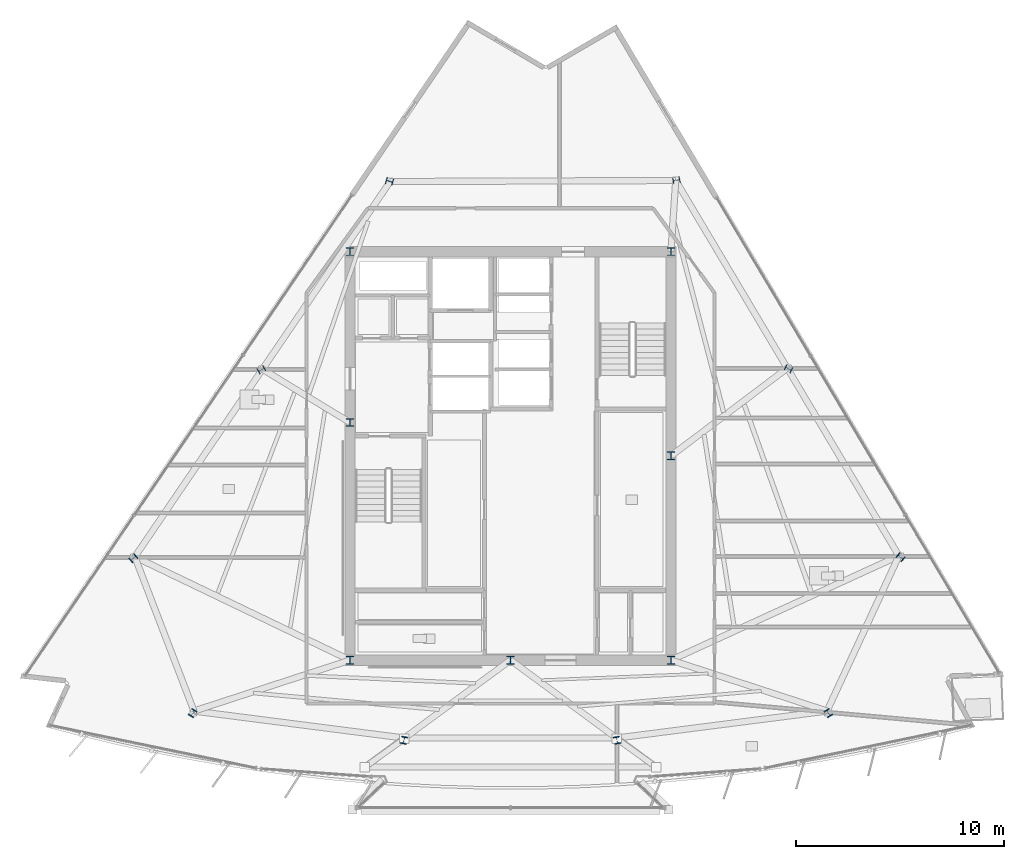
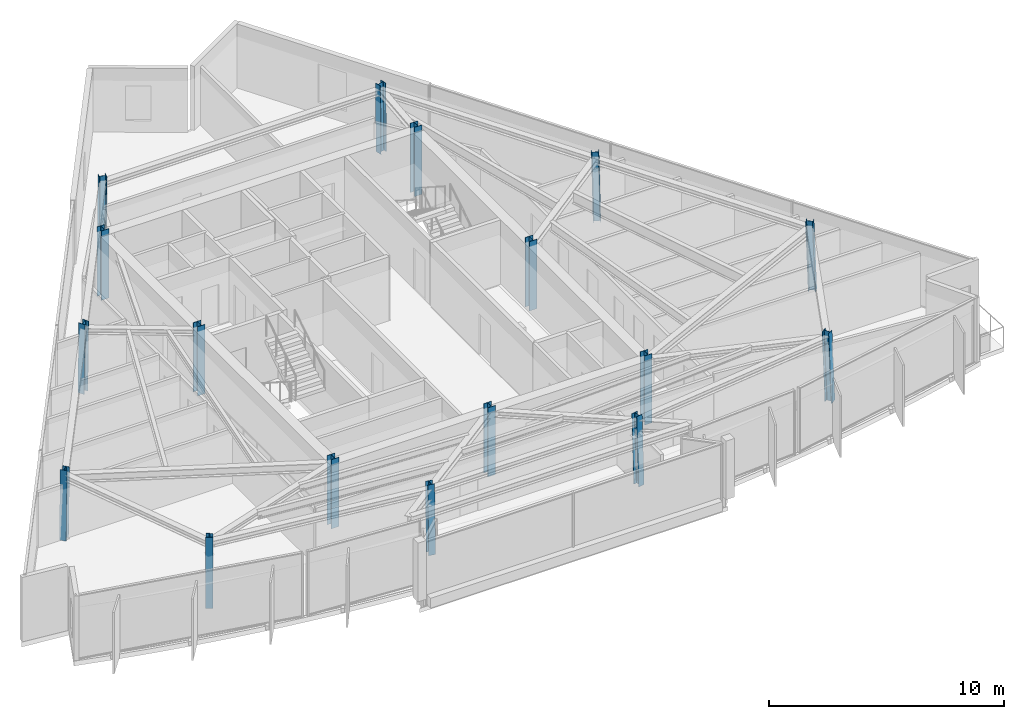
# One storey, part 1 of 13: 17 columns.
"""IFC4 building model written with IfcOpenShell, lengths in metres."""

import ifcopenshell
import ifcopenshell.guid

model = None  # the IFC model being written
_history = None  # IfcOwnerHistory: only IFC2X3 demands one
_inside = {}  # id of a spatial element -> (the spatial element, [elements in it])
_under = {}  # id of a project, library or spatial element -> (it, [spatial elements below it])
_declared = {}  # id of a project -> (the project, [libraries it declares])
_typed = {}  # id of a type object -> (the type object, [elements of that type])
_made_of = {}  # id of a material, layer set ... -> (it, [elements and type objects made of it])


def new_model(schema):
    """Start an empty IFC model of exactly this schema.

    Asked for "IFC4X3", IfcOpenShell would pick the latest addendum, in which some entities
    have other attributes; the version numbers below select the first issue.
    IFC2X3 requires an IfcOwnerHistory on every rooted entity: one is made here for all.
    """
    global model, _history
    if schema == "IFC4X3":
        model = ifcopenshell.file(schema_version=(4, 3, 0, 0))
    else:
        model = ifcopenshell.file(schema=schema)
    _inside.clear()
    _under.clear()
    _declared.clear()
    _typed.clear()
    _made_of.clear()
    _history = None
    if model.schema == "IFC2X3":
        org = make("IfcOrganization", Name="unknown")
        user = make(
            "IfcPersonAndOrganization",
            ThePerson=make("IfcPerson", FamilyName="unknown"),
            TheOrganization=org,
        )
        app = make(
            "IfcApplication",
            ApplicationDeveloper=org,
            Version="unknown",
            ApplicationFullName="unknown",
            ApplicationIdentifier="unknown",
        )
        _history = make(
            "IfcOwnerHistory",
            OwningUser=user,
            OwningApplication=app,
            ChangeAction="ADDED",
            CreationDate=0,
        )
    return model


def make(cls, **values):
    """One entity of the class cls with the attributes given. An attribute that is None is left unset."""
    return model.create_entity(
        cls, **{name: value for name, value in values.items() if value is not None}
    )


def rooted(cls, **values):
    """An entity with a GlobalId (a new one), such as an element, a storey or a relation."""
    return make(cls, GlobalId=ifcopenshell.guid.new(), OwnerHistory=_history, **values)


def si_unit(unit_type, name, prefix=None):
    """IfcSIUnit, for example si_unit("LENGTHUNIT", "METRE", prefix="MILLI")."""
    return make("IfcSIUnit", UnitType=unit_type, Prefix=prefix, Name=name)


def assignment(units):
    """IfcUnitAssignment: the units of a project."""
    return None if units is None else make("IfcUnitAssignment", Units=units)


def point(xyz):
    """IfcCartesianPoint."""
    return None if xyz is None else make("IfcCartesianPoint", Coordinates=xyz)


def direction(xyz):
    """IfcDirection."""
    return None if xyz is None else make("IfcDirection", DirectionRatios=xyz)


def frame(location, z_axis=None, x_axis=None):
    """IfcAxis2Placement3D, a coordinate frame: its origin and axes. An axis left out is left unset."""
    return make(
        "IfcAxis2Placement3D",
        Location=point(location),
        Axis=direction(z_axis),
        RefDirection=direction(x_axis),
    )


def frame_2d(location, x_axis=None):
    """IfcAxis2Placement2D, a coordinate frame in the plane: its origin and x axis."""
    return make(
        "IfcAxis2Placement2D", Location=point(location), RefDirection=direction(x_axis)
    )


def origin():
    """The frame at (0, 0, 0) with its axes left unset."""
    return frame((0.0, 0.0, 0.0))


def origin_2d():
    """The frame at (0, 0) in the plane with its x axis left unset."""
    return frame_2d((0.0, 0.0))


def place(relative_to, where):
    """IfcLocalPlacement: puts the frame where relative to a parent placement (None: the world)."""
    return make(
        "IfcLocalPlacement", PlacementRelTo=relative_to, RelativePlacement=where
    )


def context(
    kind, dimensions, precision=None, world=None, true_north=None, identifier=None
):
    """IfcGeometricRepresentationContext, for example the 3D "Model" context."""
    return make(
        "IfcGeometricRepresentationContext",
        ContextIdentifier=identifier,
        ContextType=kind,
        CoordinateSpaceDimension=dimensions,
        Precision=precision,
        WorldCoordinateSystem=world,
        TrueNorth=true_north,
    )


def subcontext(parent, identifier, kind, view, scale=None):
    """IfcGeometricRepresentationSubContext, for example "Body" below "Model"."""
    return make(
        "IfcGeometricRepresentationSubContext",
        ContextIdentifier=identifier,
        ContextType=kind,
        ParentContext=parent,
        TargetScale=scale,
        TargetView=view,
    )


def project(units=None, contexts=None):
    """IfcProject with its units and contexts."""
    return rooted(
        "IfcProject",
        Name="project",
        RepresentationContexts=contexts,
        UnitsInContext=assignment(units),
    )


def spatial(cls, under=None, at=None, **own):
    """A site, building, storey or space (cls), placed at a placement, below another one or the project."""
    s = rooted(cls, ObjectPlacement=at, **own)
    if under is not None:
        _under.setdefault(under.id(), (under, []))[1].append(s)
    return s


def profile(cls, at=None, kind="AREA", **sizes):
    """A parametric profile (cls). Its sizes go by their IFC names, for example OverallWidth=200.0."""
    return make(cls, ProfileType=kind, Position=at, **sizes)


def i_section(**sizes):
    """IfcIShapeProfileDef."""
    return profile("IfcIShapeProfileDef", **sizes)


def extrude(swept, where, along, depth):
    """IfcExtrudedAreaSolid: the profile swept, set in the frame where, extruded along a direction by depth."""
    return make(
        "IfcExtrudedAreaSolid",
        SweptArea=swept,
        Position=where,
        ExtrudedDirection=direction(along),
        Depth=depth,
    )


def shape(context_of_items, identifier, shape_type, items):
    """IfcShapeRepresentation: the items that make up one representation, for example the "Body"."""
    return make(
        "IfcShapeRepresentation",
        ContextOfItems=context_of_items,
        RepresentationIdentifier=identifier,
        RepresentationType=shape_type,
        Items=items,
    )


def material(Name=None, Category=None):
    """IfcMaterial."""
    return make("IfcMaterial", Name=Name, Category=Category)


def material_profile(
    of_material, cross_section, Name=None, Category=None, Priority=None
):
    """IfcMaterialProfile: a cross section and its material."""
    return make(
        "IfcMaterialProfile",
        Name=Name,
        Material=of_material,
        Profile=cross_section,
        Priority=Priority,
        Category=Category,
    )


def profile_set(profiles, Name=None, composite=None):
    """IfcMaterialProfileSet."""
    return make(
        "IfcMaterialProfileSet",
        Name=Name,
        MaterialProfiles=profiles,
        CompositeProfile=composite,
    )


def made_of(thing, what):
    """Note that an element or type object is made of a material, layer set ...; save() writes the relation."""
    if what is not None:
        _made_of.setdefault(what.id(), (what, []))[1].append(thing)
    return thing


def type_object(cls, material=None, **own):
    """A type object (cls), such as IfcWallType, which elements share."""
    return made_of(rooted(cls, **own), material)


def element(
    cls,
    number,
    at=None,
    inside=None,
    cuts=None,
    type_object=None,
    material=None,
    context=None,
    identifier="Body",
    shape_type=None,
    held_by="IfcProductDefinitionShape",
    body=None,
    shapes=None,
    **own,
):
    """One element of the class cls, such as IfcWall. Its Tag is "e" and its number.

    at: its placement. inside: the storey or other place that contains it. cuts: it is an
    opening in that element (IfcRelVoidsElement). A single representation is given by context,
    identifier, shape_type and body (its items); several are given by shapes. held_by: the class
    of the entity that holds the representations. save() writes the other relations.
    """
    e = rooted(cls, Tag="e%d" % number, ObjectPlacement=at, **own)
    if body is not None:
        shapes = [shape(context, identifier, shape_type, body)]
    if shapes is not None:
        e.Representation = make(held_by, Representations=shapes)
    if inside is not None:
        _inside.setdefault(inside.id(), (inside, []))[1].append(e)
    if cuts is not None:
        rooted(
            "IfcRelVoidsElement", RelatingBuildingElement=cuts, RelatedOpeningElement=e
        )
    if type_object is not None:
        _typed.setdefault(type_object.id(), (type_object, []))[1].append(e)
    return made_of(e, material)


def aggregate(whole, parts):
    """IfcRelAggregates: a whole, such as a stair, and the parts it consists of."""
    return rooted("IfcRelAggregates", RelatingObject=whole, RelatedObjects=parts)


def save(model, path):
    """Write the relations noted so far, then the file.

    IfcRelAggregates (storeys below a building ...), IfcRelContainedInSpatialStructure (elements
    in a storey), IfcRelDefinesByType, IfcRelAssociatesMaterial and IfcRelDeclares: one each for
    every whole, place, type object, material and project.
    """
    for whole, parts in _under.values():
        aggregate(whole, parts)
    for where, things in _inside.values():
        rooted(
            "IfcRelContainedInSpatialStructure",
            RelatedElements=things,
            RelatingStructure=where,
        )
    for kind, things in _typed.values():
        rooted("IfcRelDefinesByType", RelatedObjects=things, RelatingType=kind)
    for what, things in _made_of.values():
        rooted("IfcRelAssociatesMaterial", RelatedObjects=things, RelatingMaterial=what)
    for by, libraries in _declared.values():
        rooted("IfcRelDeclares", RelatingContext=by, RelatedDefinitions=libraries)
    model.write(path)


model = new_model("IFC4")

# Units and contexts
model_context = context("Model", 3, precision=1e-05, world=origin(), true_north=direction((0.0, 1.0)))
body_context = subcontext(model_context, "Body", "Model", "MODEL_VIEW")
ifc_project = project(units=[si_unit("LENGTHUNIT", "METRE"), si_unit("AREAUNIT", "SQUARE_METRE"), si_unit("VOLUMEUNIT", "CUBIC_METRE"), si_unit("PLANEANGLEUNIT", "RADIAN"), si_unit("MASSUNIT", "GRAM", prefix="KILO")], contexts=[model_context])

# Site, building, storey
site_placement = place(None, origin())
site = spatial("IfcSite", under=ifc_project, at=site_placement, CompositionType="ELEMENT")
building_placement = place(site_placement, origin())
building = spatial("IfcBuilding", under=site, at=building_placement, Name="Savorim Split Tower", CompositionType="ELEMENT")
storey_placement = place(building_placement, frame((0.0, 0.0, 283.199951171875)))
storey = spatial("IfcBuildingStorey", under=building, at=storey_placement, Name="L75", CompositionType="ELEMENT", Elevation=283.199951171875)

# Columns
ifc_material = material(Name="Steel S355", Category="steel")
ifc_material_profile_1 = material_profile(ifc_material, i_section(OverallWidth=0.30908203125, OverallDepth=0.330078125, WebThickness=0.011474609375, FlangeThickness=0.01904296875, FilletRadius=0.027099609375, at=origin_2d()), Name="HD 320x158")
ifc_profile_set_1 = profile_set([ifc_material_profile_1], Name="Steel S355")
column_type_1 = type_object("IfcColumnType", Name="COL-HD-158", PredefinedType="COLUMN", material=ifc_profile_set_1)
column_1_placement = place(storey_placement, frame((-15.25927734375, -11.96240234375, 0.005615234375), z_axis=(0.020596292833, 0.033511459955, 0.999226087917), x_axis=(-0.851954850327, 0.523615252838, 0.0)))
element("IfcColumn", 1, at=column_1_placement, inside=storey, type_object=column_type_1, Name="L75 Tapered Perimeter Column PC-S1", PredefinedType="COLUMN", context=body_context, shape_type="SweptSolid", body=[
    extrude(i_section(OverallWidth=0.30908203125, OverallDepth=0.330078125, WebThickness=0.011474609375, FlangeThickness=0.01904296875, FilletRadius=0.027099609375, at=origin_2d()), origin(), (0.0, 0.0, 1.0), 3.591552734375),
])
for number, where, z_axis, x_axis, name in (
    (2, (-5.1142578125, -13.264892578125, 0.005615234375), (0.006934304776, 0.03521539092, 0.999355688261), (-0.981159154887, 0.193201223549, 0.0), "L75 Tapered Perimeter Column PC-S2"),
    (3, (5.1142578125, -13.264892578125, 0.005615234375), (-0.006934304776, 0.03521539092, 0.999355688261), (-0.981159154887, -0.193201223549, 0.0), "L75 Tapered Perimeter Column PC-S3"),
):
    element("IfcColumn", number, at=place(storey_placement, frame(where, z_axis=z_axis, x_axis=x_axis)), inside=storey, type_object=column_type_1, Name=name, PredefinedType="COLUMN", context=body_context, shape_type="SweptSolid", body=[
        extrude(i_section(OverallWidth=0.30908203125, OverallDepth=0.330078125, WebThickness=0.011474609375, FlangeThickness=0.01904296875, FilletRadius=0.027099609375, at=origin_2d()), origin(), (0.0, 0.0, 1.0), 3.591064453125),
    ])
column_2_placement = place(storey_placement, frame((15.25927734375, -11.96240234375, 0.005615234375), z_axis=(-0.020596292833, 0.033511459955, 0.999226087917), x_axis=(-0.851954850327, -0.523615252838, 0.0)))
element("IfcColumn", 4, at=column_2_placement, inside=storey, type_object=column_type_1, Name="L75 Tapered Perimeter Column PC-S4", PredefinedType="COLUMN", context=body_context, shape_type="SweptSolid", body=[
    extrude(i_section(OverallWidth=0.30908203125, OverallDepth=0.330078125, WebThickness=0.011474609375, FlangeThickness=0.01904296875, FilletRadius=0.027099609375, at=origin_2d()), origin(), (0.0, 0.0, 1.0), 3.591552734375),
])
column_3_placement = place(storey_placement, frame((18.726806640625, -4.472900390625, 0.005615234375), z_axis=(-0.026107436898, 0.021620221181, 0.999425318758), x_axis=(-0.637813971185, -0.770190455771, 0.0)))
element("IfcColumn", 5, at=column_3_placement, inside=storey, type_object=column_type_1, Name="L75 Tapered Perimeter Column PC-E1", PredefinedType="COLUMN", context=body_context, shape_type="SweptSolid", body=[
    extrude(i_section(OverallWidth=0.30908203125, OverallDepth=0.330078125, WebThickness=0.011474609375, FlangeThickness=0.01904296875, FilletRadius=0.027099609375, at=origin_2d()), origin(), (0.0, 0.0, 1.0), 3.5908203125),
])
column_4_placement = place(storey_placement, frame((13.347900390625, 4.572998046875, 0.005615234375), z_axis=(-0.018907326549, 0.00952167524, 0.999775900241), x_axis=(-0.449781931574, -0.893138406984, 0.0)))
element("IfcColumn", 6, at=column_4_placement, inside=storey, type_object=column_type_1, Name="L75 Tapered Perimeter Column PC-E2", PredefinedType="COLUMN", context=body_context, shape_type="SweptSolid", body=[
    extrude(i_section(OverallWidth=0.30908203125, OverallDepth=0.330078125, WebThickness=0.011474609375, FlangeThickness=0.01904296875, FilletRadius=0.027099609375, at=origin_2d()), origin(), (0.0, 0.0, 1.0), 3.589599609375),
])
for number, where, z_axis, x_axis, name in (
    (7, (7.96923828125, 13.618408203125, 0.005615234375), (-0.011699842352, -0.002516826552, 0.999928387072), (0.210305364179, -0.977635746993, 0.0), "L75 Tapered Perimeter Column PC-E3"),
    (8, (-5.80517578125, 13.569580078125, 0.005615234375), (0.008843163607, -0.002516900411, 0.999957730942), (0.273743828055, 0.961802639112, 0.0), "L75 Tapered Perimeter Column PC-W1"),
):
    element("IfcColumn", number, at=place(storey_placement, frame(where, z_axis=z_axis, x_axis=x_axis)), inside=storey, type_object=column_type_1, Name=name, PredefinedType="COLUMN", context=body_context, shape_type="SweptSolid", body=[
        extrude(i_section(OverallWidth=0.30908203125, OverallDepth=0.330078125, WebThickness=0.011474609375, FlangeThickness=0.01904296875, FilletRadius=0.027099609375, at=origin_2d()), origin(), (0.0, 0.0, 1.0), 3.589111328125),
    ])
column_5_placement = place(storey_placement, frame((-11.95849609375, 4.52392578125, 0.005615234375), z_axis=(0.017003561856, 0.009590008887, 0.99980943715), x_axis=(-0.491253415567, 0.871016694268, 0.0)))
element("IfcColumn", 9, at=column_5_placement, inside=storey, type_object=column_type_1, Name="L75 Tapered Perimeter Column PC-W2", PredefinedType="COLUMN", context=body_context, shape_type="SweptSolid", body=[
    extrude(i_section(OverallWidth=0.30908203125, OverallDepth=0.330078125, WebThickness=0.011474609375, FlangeThickness=0.01904296875, FilletRadius=0.027099609375, at=origin_2d()), origin(), (0.0, 0.0, 1.0), 3.589599609375),
])
column_6_placement = place(storey_placement, frame((-18.1123046875, -4.521484375, 0.005615234375), z_axis=(0.025292146924, 0.021552716599, 0.999447741361), x_axis=(-0.648598186856, 0.761130995301, 0.0)))
element("IfcColumn", 10, at=column_6_placement, inside=storey, type_object=column_type_1, Name="L75 Tapered Perimeter Column PC-W3", PredefinedType="COLUMN", context=body_context, shape_type="SweptSolid", body=[
    extrude(i_section(OverallWidth=0.30908203125, OverallDepth=0.330078125, WebThickness=0.011474609375, FlangeThickness=0.01904296875, FilletRadius=0.027099609375, at=origin_2d()), origin(), (0.0, 0.0, 1.0), 3.5908203125),
])
ifc_material_profile_2 = material_profile(ifc_material, i_section(OverallWidth=0.3740234375, OverallDepth=0.3720703125, WebThickness=0.01220703125, FlangeThickness=0.02001953125, FilletRadius=0.014892578125, at=origin_2d()), Name="HD 360x196")
ifc_profile_set_2 = profile_set([ifc_material_profile_2], Name="Steel S355")
column_type_2 = type_object("IfcColumnType", Name="COL-HD-196", PredefinedType="COLUMN", material=ifc_profile_set_2)
for number, where, z_axis, x_axis, name in (
    (11, (-7.699951171875, -9.39990234375, 0.0), (0.0, 0.0, 1.0), (1.0, 0.0, 0.0), "L75 Core Structural Column TC-C1"),
    (12, (7.699951171875, -9.39990234375, 0.0), (0.0, 0.0, 1.0), (1.0, 0.0, 0.0), "L75 Core Structural Column TC-C2"),
    (13, (7.699951171875, 10.199951171875, 0.0), (0.0, 0.0, 1.0), (1.0, 0.0, 0.0), "L75 Core Structural Column TC-C3"),
    (14, (-7.699951171875, 10.199951171875, 0.0), (0.0, 0.0, 1.0), (1.0, 0.0, 0.0), "L75 Core Structural Column TC-C4"),
    (15, (0.0, -9.39990234375, 0.0), (0.0, 0.0, 1.0), (1.0, 0.0, 0.0), "L75 Core Structural Column TC-C5"),
    (16, (7.699951171875, 0.39990234375, 0.0), (0.0, 0.0, 1.0), (1.0, 0.0, 0.0), "L75 Core Structural Column TC-C6"),
    (17, (-7.699951171875, 2.0, 0.0), (0.0, 0.0, 1.0), (1.0, 0.0, 0.0), "L75 Core Structural Column TC-C7"),
):
    element("IfcColumn", number, at=place(storey_placement, frame(where, z_axis=z_axis, x_axis=x_axis)), inside=storey, type_object=column_type_2, Name=name, PredefinedType="COLUMN", context=body_context, shape_type="SweptSolid", body=[
        extrude(i_section(OverallWidth=0.3740234375, OverallDepth=0.3720703125, WebThickness=0.01220703125, FlangeThickness=0.02001953125, FilletRadius=0.014892578125, at=origin_2d()), origin(), (0.0, 0.0, 1.0), 3.60009765625),
    ])

save(model, "model.ifc")
